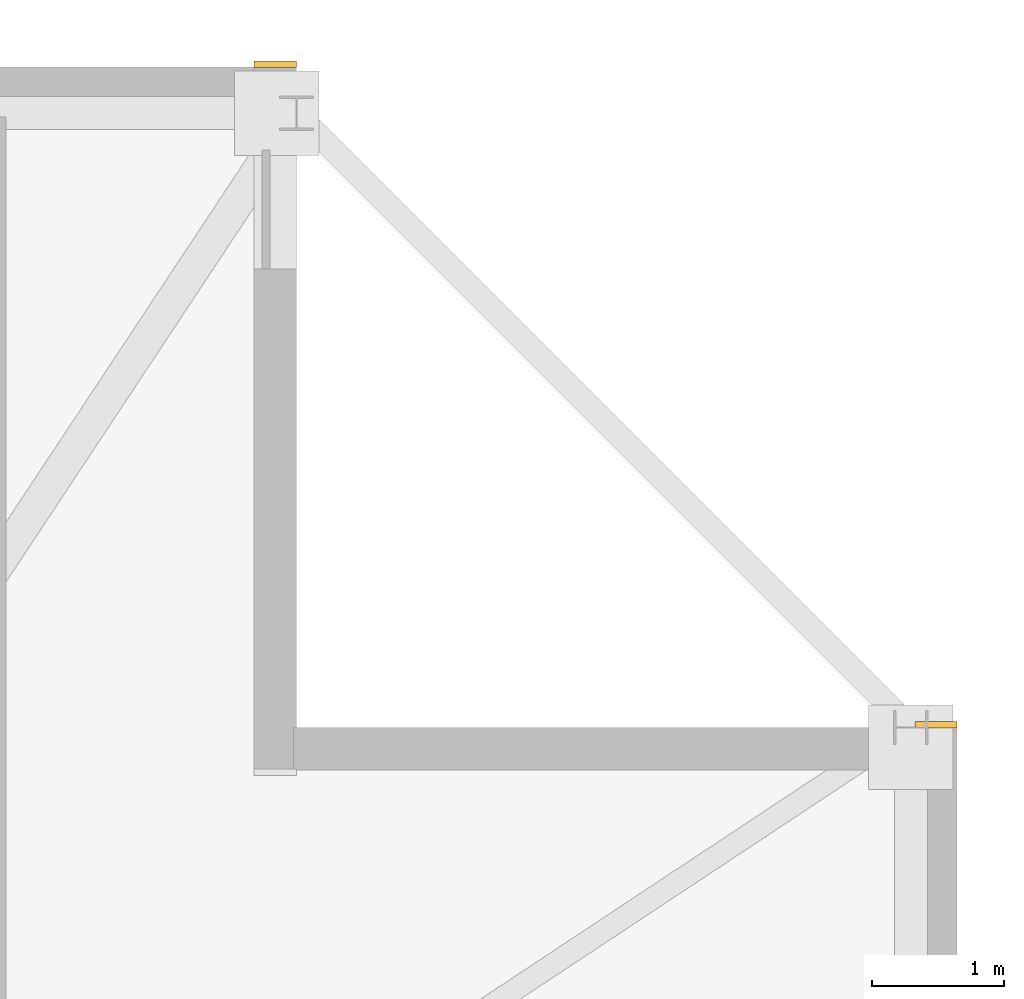
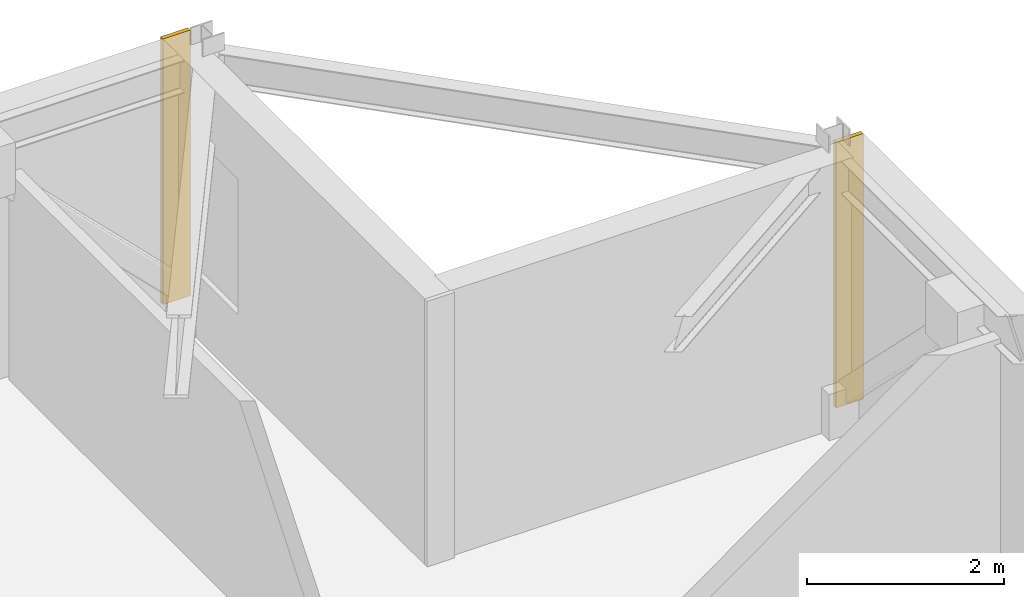
# One storey, part 17 of 17: 2 coverings.
"""IFC4 building model written with IfcOpenShell, lengths in metres."""

from ifc_helpers import new_model, si_unit, direction, frame, frame_2d, origin, place, context, subcontext, project, spatial, rectangle, extrude, material, layer, layer_set, type_object, element, save


model = new_model("IFC4")

# Units and contexts
model_context = context("Model", 3, precision=1e-05, world=origin(), true_north=direction((0.0, 1.0)))
body_context = subcontext(model_context, "Body", "Model", "MODEL_VIEW")
ifc_project = project(units=[si_unit("LENGTHUNIT", "METRE"), si_unit("AREAUNIT", "SQUARE_METRE"), si_unit("VOLUMEUNIT", "CUBIC_METRE"), si_unit("PLANEANGLEUNIT", "RADIAN"), si_unit("MASSUNIT", "GRAM", prefix="KILO")], contexts=[model_context])

# Site, building, storey
site_placement = place(None, origin())
site = spatial("IfcSite", under=ifc_project, at=site_placement, CompositionType="ELEMENT")
building_placement = place(site_placement, origin())
building = spatial("IfcBuilding", under=site, at=building_placement, Name="Cairnveth Concourse Tower", CompositionType="ELEMENT")
storey_placement = place(building_placement, frame((0.0, 0.0, 216.5)))
storey = spatial("IfcBuildingStorey", under=building, at=storey_placement, Name="L59", CompositionType="ELEMENT", Elevation=216.5)

# Coverings
ifc_material = material(Name="Dressed Melbourne Bluestone Cladding", Category="masonry")
ifc_layer = layer(ifc_material, 0.050048828125)
ifc_layer_set = layer_set([ifc_layer], Name="Dressed Melbourne Bluestone Cladding")
covering_type = type_object("IfcCoveringType", Name="DRESSED BLUESTONE PLINTH CLADDING 50", PredefinedType="CLADDING", material=ifc_layer_set)
for number, where, z_axis, x_axis, name in (
    (1, (69.179931640625, 61.52001953125, 0.0), (0.0, 0.0, 1.0), (1.0, 0.0, 0.0), "Melbourne Bluestone Corner Quoin L59-880"),
    (2, (74.179931640625, 56.52001953125, 0.0), (0.0, 0.0, 1.0), (1.0, 0.0, 0.0), "Melbourne Bluestone Corner Quoin L59-882"),
):
    element("IfcCovering", number, at=place(storey_placement, frame(where, z_axis=z_axis, x_axis=x_axis)), inside=storey, type_object=covering_type, Name=name, PredefinedType="CLADDING", context=body_context, shape_type="SweptSolid", body=[
        extrude(rectangle(XDim=0.320068359375, YDim=0.050048828125, at=frame_2d((0.16015625, 0.0))), origin(), (0.0, 0.0, 1.0), 3.2900390625),
    ])

save(model, "model.ifc")
